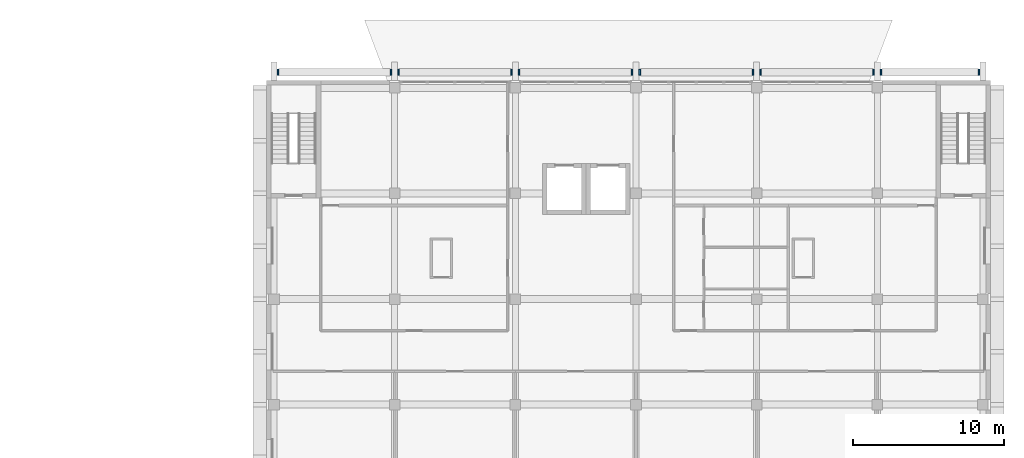
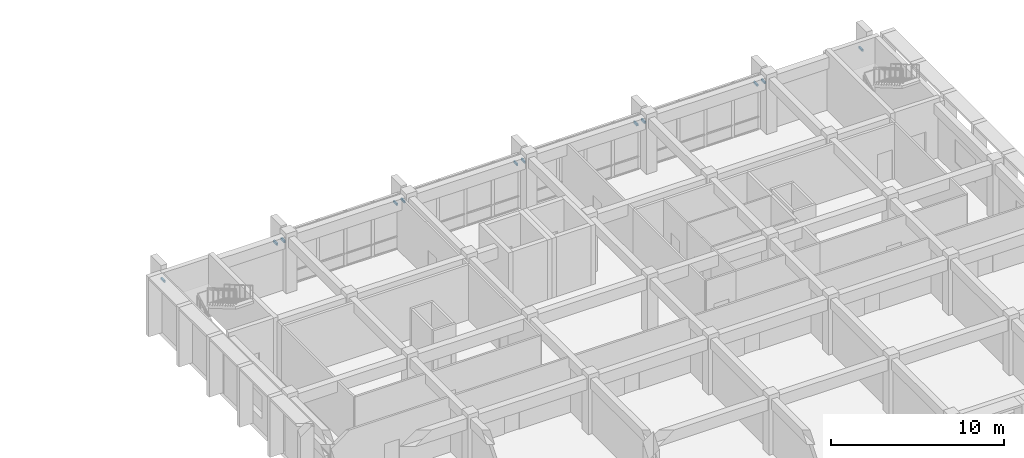
# One storey, part 40 of 45: 12 discrete accessories.
"""IFC4 building model written with IfcOpenShell, lengths in metres."""

import ifcopenshell
import ifcopenshell.guid

model = None  # the IFC model being written
_history = None  # IfcOwnerHistory: only IFC2X3 demands one
_inside = {}  # id of a spatial element -> (the spatial element, [elements in it])
_under = {}  # id of a project, library or spatial element -> (it, [spatial elements below it])
_declared = {}  # id of a project -> (the project, [libraries it declares])
_typed = {}  # id of a type object -> (the type object, [elements of that type])
_made_of = {}  # id of a material, layer set ... -> (it, [elements and type objects made of it])


def new_model(schema):
    """Start an empty IFC model of exactly this schema.

    Asked for "IFC4X3", IfcOpenShell would pick the latest addendum, in which some entities
    have other attributes; the version numbers below select the first issue.
    IFC2X3 requires an IfcOwnerHistory on every rooted entity: one is made here for all.
    """
    global model, _history
    if schema == "IFC4X3":
        model = ifcopenshell.file(schema_version=(4, 3, 0, 0))
    else:
        model = ifcopenshell.file(schema=schema)
    _inside.clear()
    _under.clear()
    _declared.clear()
    _typed.clear()
    _made_of.clear()
    _history = None
    if model.schema == "IFC2X3":
        org = make("IfcOrganization", Name="unknown")
        user = make(
            "IfcPersonAndOrganization",
            ThePerson=make("IfcPerson", FamilyName="unknown"),
            TheOrganization=org,
        )
        app = make(
            "IfcApplication",
            ApplicationDeveloper=org,
            Version="unknown",
            ApplicationFullName="unknown",
            ApplicationIdentifier="unknown",
        )
        _history = make(
            "IfcOwnerHistory",
            OwningUser=user,
            OwningApplication=app,
            ChangeAction="ADDED",
            CreationDate=0,
        )
    return model


def make(cls, **values):
    """One entity of the class cls with the attributes given. An attribute that is None is left unset."""
    return model.create_entity(
        cls, **{name: value for name, value in values.items() if value is not None}
    )


def rooted(cls, **values):
    """An entity with a GlobalId (a new one), such as an element, a storey or a relation."""
    return make(cls, GlobalId=ifcopenshell.guid.new(), OwnerHistory=_history, **values)


def si_unit(unit_type, name, prefix=None):
    """IfcSIUnit, for example si_unit("LENGTHUNIT", "METRE", prefix="MILLI")."""
    return make("IfcSIUnit", UnitType=unit_type, Prefix=prefix, Name=name)


def assignment(units):
    """IfcUnitAssignment: the units of a project."""
    return None if units is None else make("IfcUnitAssignment", Units=units)


def point(xyz):
    """IfcCartesianPoint."""
    return None if xyz is None else make("IfcCartesianPoint", Coordinates=xyz)


def direction(xyz):
    """IfcDirection."""
    return None if xyz is None else make("IfcDirection", DirectionRatios=xyz)


def frame(location, z_axis=None, x_axis=None):
    """IfcAxis2Placement3D, a coordinate frame: its origin and axes. An axis left out is left unset."""
    return make(
        "IfcAxis2Placement3D",
        Location=point(location),
        Axis=direction(z_axis),
        RefDirection=direction(x_axis),
    )


def frame_2d(location, x_axis=None):
    """IfcAxis2Placement2D, a coordinate frame in the plane: its origin and x axis."""
    return make(
        "IfcAxis2Placement2D", Location=point(location), RefDirection=direction(x_axis)
    )


def origin():
    """The frame at (0, 0, 0) with its axes left unset."""
    return frame((0.0, 0.0, 0.0))


def origin_2d():
    """The frame at (0, 0) in the plane with its x axis left unset."""
    return frame_2d((0.0, 0.0))


def place(relative_to, where):
    """IfcLocalPlacement: puts the frame where relative to a parent placement (None: the world)."""
    return make(
        "IfcLocalPlacement", PlacementRelTo=relative_to, RelativePlacement=where
    )


def context(
    kind, dimensions, precision=None, world=None, true_north=None, identifier=None
):
    """IfcGeometricRepresentationContext, for example the 3D "Model" context."""
    return make(
        "IfcGeometricRepresentationContext",
        ContextIdentifier=identifier,
        ContextType=kind,
        CoordinateSpaceDimension=dimensions,
        Precision=precision,
        WorldCoordinateSystem=world,
        TrueNorth=true_north,
    )


def subcontext(parent, identifier, kind, view, scale=None):
    """IfcGeometricRepresentationSubContext, for example "Body" below "Model"."""
    return make(
        "IfcGeometricRepresentationSubContext",
        ContextIdentifier=identifier,
        ContextType=kind,
        ParentContext=parent,
        TargetScale=scale,
        TargetView=view,
    )


def project(units=None, contexts=None):
    """IfcProject with its units and contexts."""
    return rooted(
        "IfcProject",
        Name="project",
        RepresentationContexts=contexts,
        UnitsInContext=assignment(units),
    )


def spatial(cls, under=None, at=None, **own):
    """A site, building, storey or space (cls), placed at a placement, below another one or the project."""
    s = rooted(cls, ObjectPlacement=at, **own)
    if under is not None:
        _under.setdefault(under.id(), (under, []))[1].append(s)
    return s


def profile(cls, at=None, kind="AREA", **sizes):
    """A parametric profile (cls). Its sizes go by their IFC names, for example OverallWidth=200.0."""
    return make(cls, ProfileType=kind, Position=at, **sizes)


def rectangle(**sizes):
    """IfcRectangleProfileDef."""
    return profile("IfcRectangleProfileDef", **sizes)


def extrude(swept, where, along, depth):
    """IfcExtrudedAreaSolid: the profile swept, set in the frame where, extruded along a direction by depth."""
    return make(
        "IfcExtrudedAreaSolid",
        SweptArea=swept,
        Position=where,
        ExtrudedDirection=direction(along),
        Depth=depth,
    )


def shape(context_of_items, identifier, shape_type, items):
    """IfcShapeRepresentation: the items that make up one representation, for example the "Body"."""
    return make(
        "IfcShapeRepresentation",
        ContextOfItems=context_of_items,
        RepresentationIdentifier=identifier,
        RepresentationType=shape_type,
        Items=items,
    )


def material(Name=None, Category=None):
    """IfcMaterial."""
    return make("IfcMaterial", Name=Name, Category=Category)


def made_of(thing, what):
    """Note that an element or type object is made of a material, layer set ...; save() writes the relation."""
    if what is not None:
        _made_of.setdefault(what.id(), (what, []))[1].append(thing)
    return thing


def type_object(cls, material=None, **own):
    """A type object (cls), such as IfcWallType, which elements share."""
    return made_of(rooted(cls, **own), material)


def element(
    cls,
    number,
    at=None,
    inside=None,
    cuts=None,
    type_object=None,
    material=None,
    context=None,
    identifier="Body",
    shape_type=None,
    held_by="IfcProductDefinitionShape",
    body=None,
    shapes=None,
    **own,
):
    """One element of the class cls, such as IfcWall. Its Tag is "e" and its number.

    at: its placement. inside: the storey or other place that contains it. cuts: it is an
    opening in that element (IfcRelVoidsElement). A single representation is given by context,
    identifier, shape_type and body (its items); several are given by shapes. held_by: the class
    of the entity that holds the representations. save() writes the other relations.
    """
    e = rooted(cls, Tag="e%d" % number, ObjectPlacement=at, **own)
    if body is not None:
        shapes = [shape(context, identifier, shape_type, body)]
    if shapes is not None:
        e.Representation = make(held_by, Representations=shapes)
    if inside is not None:
        _inside.setdefault(inside.id(), (inside, []))[1].append(e)
    if cuts is not None:
        rooted(
            "IfcRelVoidsElement", RelatingBuildingElement=cuts, RelatedOpeningElement=e
        )
    if type_object is not None:
        _typed.setdefault(type_object.id(), (type_object, []))[1].append(e)
    return made_of(e, material)


def aggregate(whole, parts):
    """IfcRelAggregates: a whole, such as a stair, and the parts it consists of."""
    return rooted("IfcRelAggregates", RelatingObject=whole, RelatedObjects=parts)


def save(model, path):
    """Write the relations noted so far, then the file.

    IfcRelAggregates (storeys below a building ...), IfcRelContainedInSpatialStructure (elements
    in a storey), IfcRelDefinesByType, IfcRelAssociatesMaterial and IfcRelDeclares: one each for
    every whole, place, type object, material and project.
    """
    for whole, parts in _under.values():
        aggregate(whole, parts)
    for where, things in _inside.values():
        rooted(
            "IfcRelContainedInSpatialStructure",
            RelatedElements=things,
            RelatingStructure=where,
        )
    for kind, things in _typed.values():
        rooted("IfcRelDefinesByType", RelatedObjects=things, RelatingType=kind)
    for what, things in _made_of.values():
        rooted("IfcRelAssociatesMaterial", RelatedObjects=things, RelatingMaterial=what)
    for by, libraries in _declared.values():
        rooted("IfcRelDeclares", RelatingContext=by, RelatedDefinitions=libraries)
    model.write(path)


model = new_model("IFC4")

# Units and contexts
model_context = context("Model", 3, precision=1e-05, world=origin(), true_north=direction((0.0, 1.0)))
body_context = subcontext(model_context, "Body", "Model", "MODEL_VIEW")
ifc_project = project(units=[si_unit("LENGTHUNIT", "METRE"), si_unit("AREAUNIT", "SQUARE_METRE"), si_unit("VOLUMEUNIT", "CUBIC_METRE"), si_unit("PLANEANGLEUNIT", "RADIAN"), si_unit("MASSUNIT", "GRAM", prefix="KILO")], contexts=[model_context])

# Site, building, storey
site_placement = place(None, origin())
site = spatial("IfcSite", under=ifc_project, at=site_placement, CompositionType="ELEMENT")
building_placement = place(site_placement, origin())
building = spatial("IfcBuilding", under=site, at=building_placement, Name="Elmora Arch Market Hall", CompositionType="ELEMENT")
storey_placement = place(building_placement, frame((0.0, 0.0, 6.0)))
storey = spatial("IfcBuildingStorey", under=building, at=storey_placement, Name="L01", CompositionType="ELEMENT", Elevation=6.0)

# Discrete accessories
ifc_material = material(Name="Steel ASTM A653 galvanised", Category="steel")
discrete_accessory_type = type_object("IfcDiscreteAccessoryType", Name="Bracket plate 100x400x150", PredefinedType="BRACKET", material=ifc_material)
for number, where, z_axis, x_axis, name in (
    (1, (86.75, 166.550048828125, 2.650146484375), (0.0, 0.0, 1.0), (1.0, 0.0, 0.0), "Bracket BLADE-SCH-N-1-L01"),
    (2, (94.25, 166.550048828125, 2.650146484375), (0.0, 0.0, 1.0), (1.0, 0.0, 0.0), "Bracket BLADE-SCH-N-1-L01"),
    (3, (94.75, 166.550048828125, 2.650146484375), (0.0, 0.0, 1.0), (1.0, 0.0, 0.0), "Bracket BLADE-SCH-N-2-L01"),
    (4, (102.25, 166.550048828125, 2.650146484375), (0.0, 0.0, 1.0), (1.0, 0.0, 0.0), "Bracket BLADE-SCH-N-2-L01"),
    (5, (102.75, 166.550048828125, 2.650146484375), (0.0, 0.0, 1.0), (1.0, 0.0, 0.0), "Bracket BLADE-SCH-N-3-L01"),
    (6, (110.25, 166.550048828125, 2.650146484375), (0.0, 0.0, 1.0), (1.0, 0.0, 0.0), "Bracket BLADE-SCH-N-3-L01"),
    (7, (110.75, 166.550048828125, 2.650146484375), (0.0, 0.0, 1.0), (1.0, 0.0, 0.0), "Bracket BLADE-SCH-N-4-L01"),
    (8, (118.25, 166.550048828125, 2.650146484375), (0.0, 0.0, 1.0), (1.0, 0.0, 0.0), "Bracket BLADE-SCH-N-4-L01"),
    (9, (118.75, 166.550048828125, 2.650146484375), (0.0, 0.0, 1.0), (1.0, 0.0, 0.0), "Bracket BLADE-SCH-N-5-L01"),
    (10, (126.25, 166.550048828125, 2.650146484375), (0.0, 0.0, 1.0), (1.0, 0.0, 0.0), "Bracket BLADE-SCH-N-5-L01"),
    (11, (126.75, 166.550048828125, 2.650146484375), (0.0, 0.0, 1.0), (1.0, 0.0, 0.0), "Bracket BLADE-SCH-N-6-L01"),
    (12, (133.25, 166.550048828125, 2.650146484375), (0.0, 0.0, 1.0), (1.0, 0.0, 0.0), "Bracket BLADE-SCH-N-6-L01"),
):
    element("IfcDiscreteAccessory", number, at=place(storey_placement, frame(where, z_axis=z_axis, x_axis=x_axis)), inside=storey, type_object=discrete_accessory_type, Name=name, PredefinedType="BRACKET", context=body_context, shape_type="SweptSolid", body=[
        extrude(rectangle(XDim=0.10009765625, YDim=0.39990234375, at=origin_2d()), origin(), (0.0, 0.0, 1.0), 0.14990234375),
    ])

save(model, "model.ifc")
